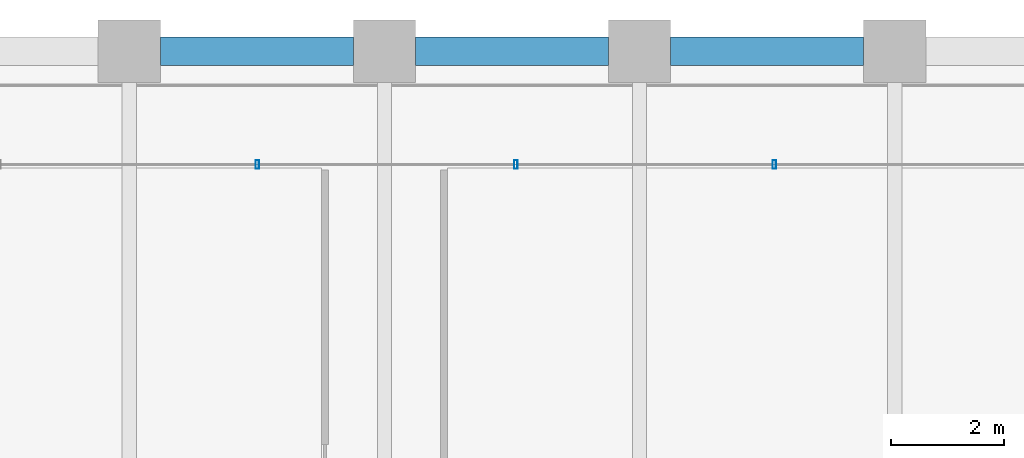
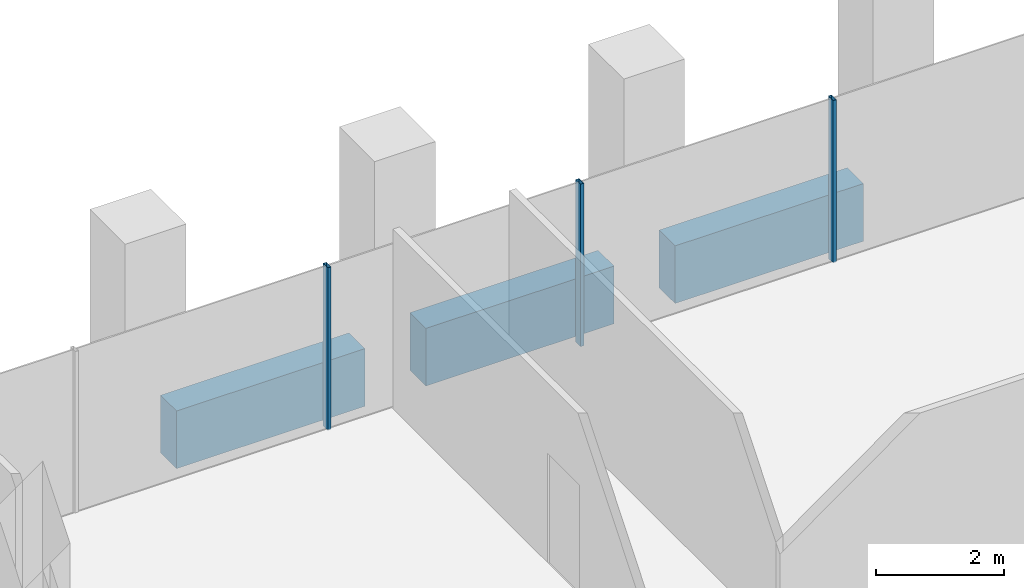
# One storey, part 29 of 54: 3 beams, 3 members, 1 element without a shape of its own.
"""IFC4 building model written with IfcOpenShell, lengths in metres."""

from ifc_helpers import new_model, si_unit, direction, frame, origin, origin_2d, place, context, subcontext, project, spatial, rectangle, hollow_rectangle, extrude, material, material_profile, profile_set, type_object, element, aggregate, save


model = new_model("IFC4")

# Units and contexts
model_context = context("Model", 3, precision=1e-05, world=origin(), true_north=direction((0.0, 1.0)))
body_context = subcontext(model_context, "Body", "Model", "MODEL_VIEW")
ifc_project = project(units=[si_unit("LENGTHUNIT", "METRE"), si_unit("AREAUNIT", "SQUARE_METRE"), si_unit("VOLUMEUNIT", "CUBIC_METRE"), si_unit("PLANEANGLEUNIT", "RADIAN"), si_unit("MASSUNIT", "GRAM", prefix="KILO")], contexts=[model_context])

# Site, building, storey
site_placement = place(None, origin())
site = spatial("IfcSite", under=ifc_project, at=site_placement, CompositionType="ELEMENT")
building_placement = place(site_placement, origin())
building = spatial("IfcBuilding", under=site, at=building_placement, Name="Altepetl Exchange Towers", CompositionType="ELEMENT")
storey_placement = place(building_placement, frame((0.0, 0.0, 65.39990234375)))
storey = spatial("IfcBuildingStorey", under=building, at=storey_placement, Name="L15", CompositionType="ELEMENT", Elevation=65.39990234375)

# Curtain wall, members
ifc_material_1 = material(Name="Aluminium 6063-T6 glazing", Category="aluminium")
curtain_wall_type = type_object("IfcCurtainWallType", Name="Loggia glazing system", PredefinedType="NOTDEFINED", material=ifc_material_1)
curtain_wall_placement = place(storey_placement, origin())
curtain_wall = element("IfcCurtainWall", 1, at=curtain_wall_placement, inside=storey, type_object=curtain_wall_type, Name="CW1 run", PredefinedType="NOTDEFINED")
ifc_material_2 = material(Name="Aluminium 6063-T6", Category="aluminium")
ifc_material_profile_1 = material_profile(ifc_material_2, hollow_rectangle(XDim=0.06005859375, YDim=0.14990234375, WallThickness=0.0029296875, at=origin_2d()), Name="Mullion 60x150 aluminium")
ifc_profile_set_1 = profile_set([ifc_material_profile_1], Name="Aluminium 6063-T6")
member_type = type_object("IfcMemberType", Name="Mullion 60x150 aluminium", PredefinedType="MULLION", material=ifc_profile_set_1)
member_1_placement = place(storey_placement, frame((56.378662109375, 70.0, 0.0), z_axis=(0.0, 0.0, 1.0), x_axis=(-1.0, 0.0, 0.0)))
member_1 = element("IfcMember", 2, at=member_1_placement, type_object=member_type, Name="MU1 mullion", PredefinedType="MULLION", context=body_context, shape_type="SweptSolid", body=[
    extrude(hollow_rectangle(XDim=0.06005859375, YDim=0.14990234375, WallThickness=0.0029296875, at=origin_2d()), origin(), (0.0, 0.0, 1.0), 3.10009765625),
])
member_2_placement = place(storey_placement, frame((51.81787109375, 70.0, 0.0), z_axis=(0.0, 0.0, 1.0), x_axis=(-1.0, 0.0, 0.0)))
member_2 = element("IfcMember", 3, at=member_2_placement, type_object=member_type, Name="MU1 mullion", PredefinedType="MULLION", context=body_context, shape_type="SweptSolid", body=[
    extrude(hollow_rectangle(XDim=0.06005859375, YDim=0.14990234375, WallThickness=0.0029296875, at=origin_2d()), origin(), (0.0, 0.0, 1.0), 3.10009765625),
])
member_3_placement = place(storey_placement, frame((47.257080078125, 70.0, 0.0), z_axis=(0.0, 0.0, 1.0), x_axis=(-1.0, 0.0, 0.0)))
member_3 = element("IfcMember", 4, at=member_3_placement, type_object=member_type, Name="MU1 mullion", PredefinedType="MULLION", context=body_context, shape_type="SweptSolid", body=[
    extrude(hollow_rectangle(XDim=0.06005859375, YDim=0.14990234375, WallThickness=0.0029296875, at=origin_2d()), origin(), (0.0, 0.0, 1.0), 3.10009765625),
])
aggregate(curtain_wall, [member_1, member_2, member_3])

# Beams
ifc_material_3 = material(Name="Concrete C50/60 precast with cantera rosa facing", Category="concrete")
ifc_material_profile_2 = material_profile(ifc_material_3, rectangle(XDim=0.5, YDim=1.10009765625, at=origin_2d()), Name="500 x 1100")
ifc_profile_set_2 = profile_set([ifc_material_profile_2], Name="Concrete C50/60 precast with cantera rosa facing")
beam_type = type_object("IfcBeamType", Name="Spandrel beam 500x1100 cantera rosa", PredefinedType="SPANDREL", material=ifc_profile_set_2)
for number, where, z_axis, x_axis, name in (
    (5, (57.949951171875, 72.0, -0.699951171875), (-1.0, 0.0, 0.0), (0.0, -1.0, 0.0), "sp:A:L15:026"),
    (6, (53.449951171875, 72.0, -0.699951171875), (-1.0, 0.0, 0.0), (0.0, -1.0, 0.0), "sp:A:L15:027"),
    (7, (48.949951171875, 72.0, -0.699951171875), (-1.0, 0.0, 0.0), (0.0, -1.0, 0.0), "sp:A:L15:028"),
):
    element("IfcBeam", number, at=place(storey_placement, frame(where, z_axis=z_axis, x_axis=x_axis)), inside=storey, type_object=beam_type, Name=name, PredefinedType="SPANDREL", context=body_context, shape_type="SweptSolid", body=[
        extrude(rectangle(XDim=0.5, YDim=1.10009765625, at=origin_2d()), origin(), (0.0, 0.0, 1.0), 3.39990234375),
    ])

save(model, "model.ifc")
